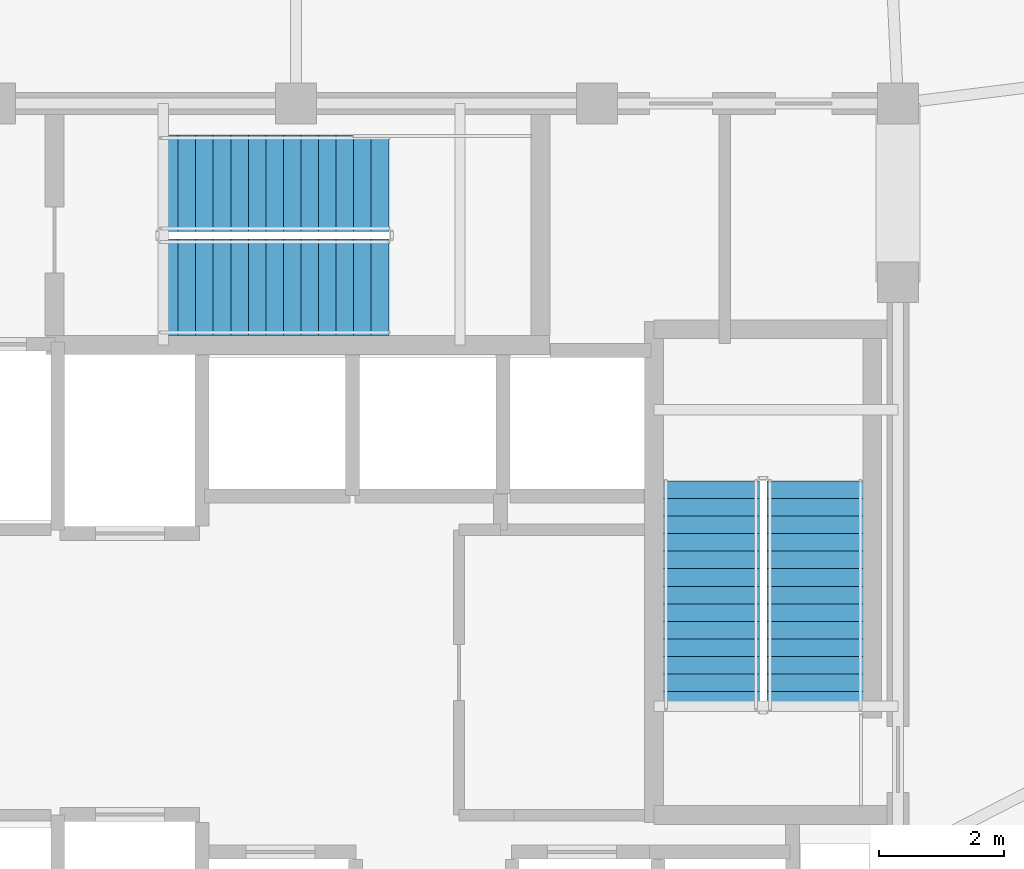
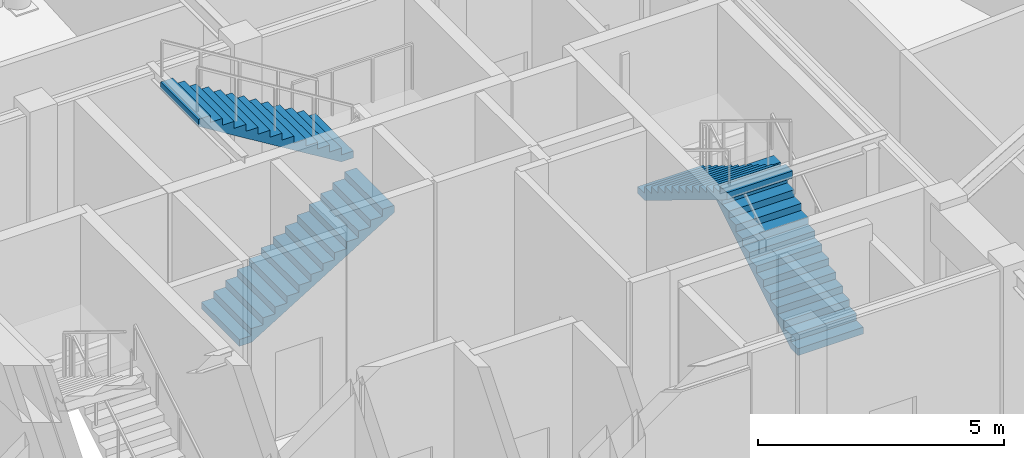
# One storey, part 23 of 27: 4 stair flights, 2 elements without a shape of their own.
"""IFC4 building model written with IfcOpenShell, lengths in metres."""

from ifc_helpers import new_model, si_unit, direction, frame, origin, place, context, subcontext, project, spatial, polyline, outline, extrude, material, type_object, element, aggregate, save


model = new_model("IFC4")

# Units and contexts
model_context = context("Model", 3, precision=1e-05, world=origin(), true_north=direction((0.0, 1.0)))
body_context = subcontext(model_context, "Body", "Model", "MODEL_VIEW")
ifc_project = project(units=[si_unit("LENGTHUNIT", "METRE"), si_unit("AREAUNIT", "SQUARE_METRE"), si_unit("VOLUMEUNIT", "CUBIC_METRE"), si_unit("PLANEANGLEUNIT", "RADIAN"), si_unit("MASSUNIT", "GRAM", prefix="KILO")], contexts=[model_context])

# Site, building, storey
site_placement = place(None, origin())
site = spatial("IfcSite", under=ifc_project, at=site_placement, CompositionType="ELEMENT")
building_placement = place(site_placement, origin())
building = spatial("IfcBuilding", under=site, at=building_placement, Name="Vantalir Tower", CompositionType="ELEMENT")
storey_placement = place(building_placement, frame((0.0, 0.0, 290.10009765625)))
storey = spatial("IfcBuildingStorey", under=building, at=storey_placement, Name="L73", CompositionType="ELEMENT", Elevation=290.10009765625)

# Stair, stair flights
ifc_material = material(Name="Concrete C40/50", Category="concrete")
stair_type = type_object("IfcStairType", Name="STR-CORE-1450", PredefinedType="HALF_TURN_STAIR", material=ifc_material)
stair_1_placement = place(storey_placement, origin())
stair_1 = element("IfcStair", 1, at=stair_1_placement, inside=storey, type_object=stair_type, Name="L73 Core Exit Stair 2", PredefinedType="HALF_TURN_STAIR")
stair_flight_type = type_object("IfcStairFlightType", Name="FLT-CORE-1450", PredefinedType="STRAIGHT", material=ifc_material)
stair_flight_1_placement = place(storey_placement, frame((39.780029296875, 22.7900390625, 0.0), z_axis=(0.0, 0.0, 1.0), x_axis=(0.0, 1.0, 0.0)))
stair_flight_1 = element("IfcStairFlight", 2, at=stair_flight_1_placement, type_object=stair_flight_type, Name="ST2 flight 1", NumberOfRisers=14, NumberOfTreads=13, PredefinedType="STRAIGHT", RiserHeight=0.171428571, TreadLength=0.28, context=body_context, shape_type="SweptSolid", body=[
    extrude(outline(polyline([(0.0, 0.0), (0.0, 0.17138671875), (0.280029296875, 0.17138671875), (0.280029296875, 0.3427734375), (0.56005859375, 0.3427734375), (0.56005859375, 0.514404296875), (0.840087890625, 0.514404296875), (0.840087890625, 0.685791015625), (1.1201171875, 0.685791015625), (1.1201171875, 0.857177734375), (1.39990234375, 0.857177734375), (1.39990234375, 1.028564453125), (1.679931640625, 1.028564453125), (1.679931640625, 1.199951171875), (1.9599609375, 1.199951171875), (1.9599609375, 1.371337890625), (2.239990234375, 1.371337890625), (2.239990234375, 1.54296875), (2.52001953125, 1.54296875), (2.52001953125, 1.71435546875), (2.800048828125, 1.71435546875), (2.800048828125, 1.8857421875), (3.080078125, 1.8857421875), (3.080078125, 2.05712890625), (3.360107421875, 2.05712890625), (3.360107421875, 2.228515625), (3.639892578125, 2.228515625), (3.639892578125, 2.39990234375), (3.639892578125, 2.052734375), (0.287109375, 0.0), (0.0, 0.0)])), frame((0.0, 0.77001953125, 0.0), z_axis=(0.0, -1.0, 0.0), x_axis=(1.0, 0.0, 0.0)), (0.0, 0.0, 1.0), 1.5400390625),
])
stair_flight_2_placement = place(storey_placement, frame((38.1201171875, 26.429931640625, 2.39990234375), z_axis=(0.0, 0.0, 1.0), x_axis=(0.0, -1.0, 0.0)))
stair_flight_2 = element("IfcStairFlight", 3, at=stair_flight_2_placement, type_object=stair_flight_type, Name="ST2 flight 2", NumberOfRisers=14, NumberOfTreads=13, PredefinedType="STRAIGHT", RiserHeight=0.171428571, TreadLength=0.28, context=body_context, shape_type="SweptSolid", body=[
    extrude(outline(polyline([(0.0, 0.0), (0.0, 0.17138671875), (0.280029296875, 0.17138671875), (0.280029296875, 0.3427734375), (0.56005859375, 0.3427734375), (0.56005859375, 0.514404296875), (0.840087890625, 0.514404296875), (0.840087890625, 0.685791015625), (1.1201171875, 0.685791015625), (1.1201171875, 0.857177734375), (1.39990234375, 0.857177734375), (1.39990234375, 1.028564453125), (1.679931640625, 1.028564453125), (1.679931640625, 1.199951171875), (1.9599609375, 1.199951171875), (1.9599609375, 1.371337890625), (2.239990234375, 1.371337890625), (2.239990234375, 1.54296875), (2.52001953125, 1.54296875), (2.52001953125, 1.71435546875), (2.800048828125, 1.71435546875), (2.800048828125, 1.8857421875), (3.080078125, 1.8857421875), (3.080078125, 2.05712890625), (3.360107421875, 2.05712890625), (3.360107421875, 2.228515625), (3.639892578125, 2.228515625), (3.639892578125, 2.39990234375), (3.639892578125, 2.052734375), (0.287109375, 0.0), (0.0, 0.0)])), frame((0.0, 0.77001953125, 0.0), z_axis=(0.0, -1.0, 0.0), x_axis=(1.0, 0.0, 0.0)), (0.0, 0.0, 1.0), 1.5400390625),
])
aggregate(stair_1, [stair_flight_1, stair_flight_2])

stair_2_placement = place(storey_placement, origin())
stair_2 = element("IfcStair", 4, at=stair_2_placement, inside=storey, type_object=stair_type, Name="L73 Core Exit Stair 3", PredefinedType="HALF_TURN_STAIR")
stair_flight_3_placement = place(storey_placement, frame((29.340087890625, 29.52001953125, 0.0), z_axis=(0.0, 0.0, 1.0), x_axis=(1.0, 0.0, 0.0)))
stair_flight_3 = element("IfcStairFlight", 5, at=stair_flight_3_placement, type_object=stair_flight_type, Name="ST3 flight 1", NumberOfRisers=14, NumberOfTreads=13, PredefinedType="STRAIGHT", RiserHeight=0.171428571, TreadLength=0.28, context=body_context, shape_type="SweptSolid", body=[
    extrude(outline(polyline([(0.0, 0.0), (0.0, 0.17138671875), (0.280029296875, 0.17138671875), (0.280029296875, 0.3427734375), (0.56005859375, 0.3427734375), (0.56005859375, 0.514404296875), (0.840087890625, 0.514404296875), (0.840087890625, 0.685791015625), (1.1201171875, 0.685791015625), (1.1201171875, 0.857177734375), (1.39990234375, 0.857177734375), (1.39990234375, 1.028564453125), (1.679931640625, 1.028564453125), (1.679931640625, 1.199951171875), (1.9599609375, 1.199951171875), (1.9599609375, 1.371337890625), (2.239990234375, 1.371337890625), (2.239990234375, 1.54296875), (2.52001953125, 1.54296875), (2.52001953125, 1.71435546875), (2.800048828125, 1.71435546875), (2.800048828125, 1.8857421875), (3.080078125, 1.8857421875), (3.080078125, 2.05712890625), (3.360107421875, 2.05712890625), (3.360107421875, 2.228515625), (3.639892578125, 2.228515625), (3.639892578125, 2.39990234375), (3.639892578125, 2.052734375), (0.287109375, 0.0), (0.0, 0.0)])), frame((0.0, 0.77001953125, 0.0), z_axis=(0.0, -1.0, 0.0), x_axis=(1.0, 0.0, 0.0)), (0.0, 0.0, 1.0), 1.5400390625),
])
stair_flight_4_placement = place(storey_placement, frame((32.97998046875, 31.179931640625, 2.39990234375), z_axis=(0.0, 0.0, 1.0), x_axis=(-1.0, 0.0, 0.0)))
stair_flight_4 = element("IfcStairFlight", 6, at=stair_flight_4_placement, type_object=stair_flight_type, Name="ST3 flight 2", NumberOfRisers=14, NumberOfTreads=13, PredefinedType="STRAIGHT", RiserHeight=0.171428571, TreadLength=0.28, context=body_context, shape_type="SweptSolid", body=[
    extrude(outline(polyline([(0.0, 0.0), (0.0, 0.17138671875), (0.280029296875, 0.17138671875), (0.280029296875, 0.3427734375), (0.56005859375, 0.3427734375), (0.56005859375, 0.514404296875), (0.840087890625, 0.514404296875), (0.840087890625, 0.685791015625), (1.1201171875, 0.685791015625), (1.1201171875, 0.857177734375), (1.39990234375, 0.857177734375), (1.39990234375, 1.028564453125), (1.679931640625, 1.028564453125), (1.679931640625, 1.199951171875), (1.9599609375, 1.199951171875), (1.9599609375, 1.371337890625), (2.239990234375, 1.371337890625), (2.239990234375, 1.54296875), (2.52001953125, 1.54296875), (2.52001953125, 1.71435546875), (2.800048828125, 1.71435546875), (2.800048828125, 1.8857421875), (3.080078125, 1.8857421875), (3.080078125, 2.05712890625), (3.360107421875, 2.05712890625), (3.360107421875, 2.228515625), (3.639892578125, 2.228515625), (3.639892578125, 2.39990234375), (3.639892578125, 2.052734375), (0.287109375, 0.0), (0.0, 0.0)])), frame((0.0, 0.77001953125, 0.0), z_axis=(0.0, -1.0, 0.0), x_axis=(1.0, 0.0, 0.0)), (0.0, 0.0, 1.0), 1.5400390625),
])
aggregate(stair_2, [stair_flight_3, stair_flight_4])

save(model, "model.ifc")
